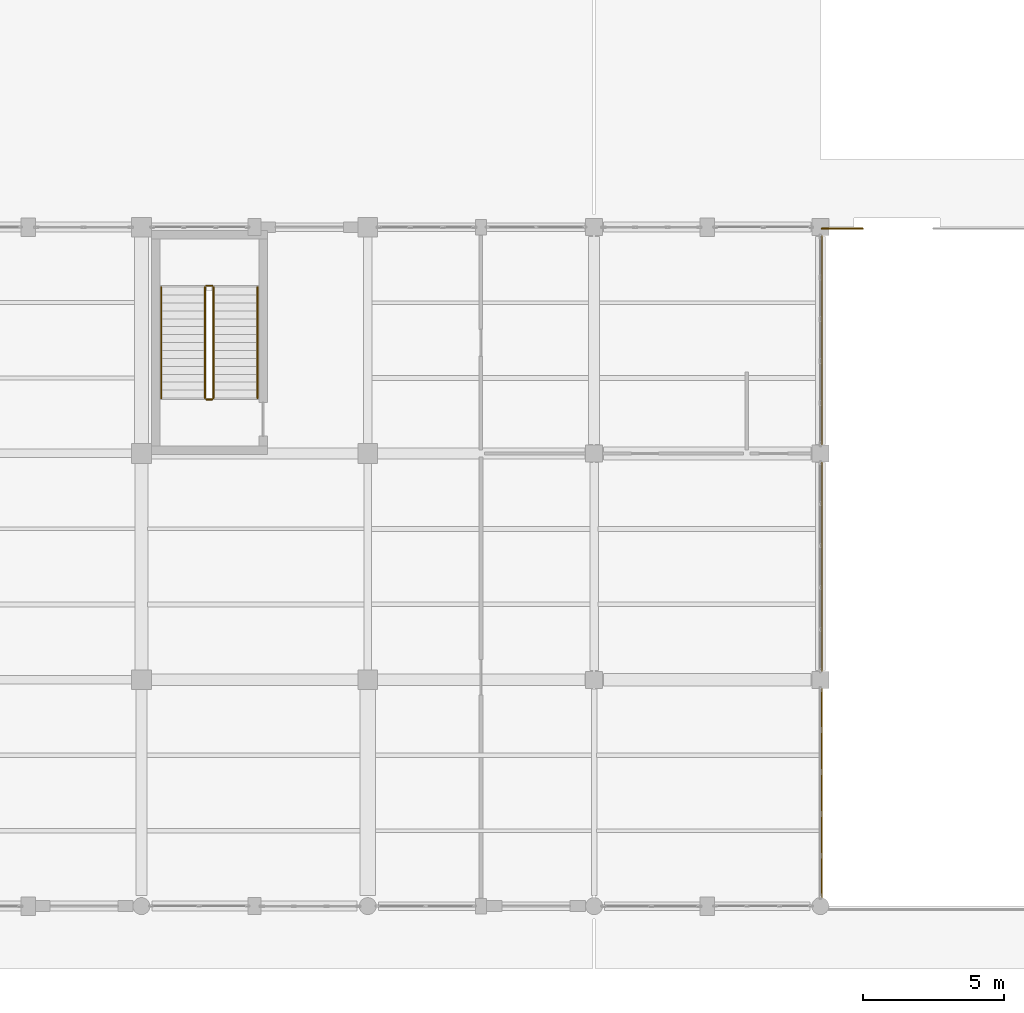
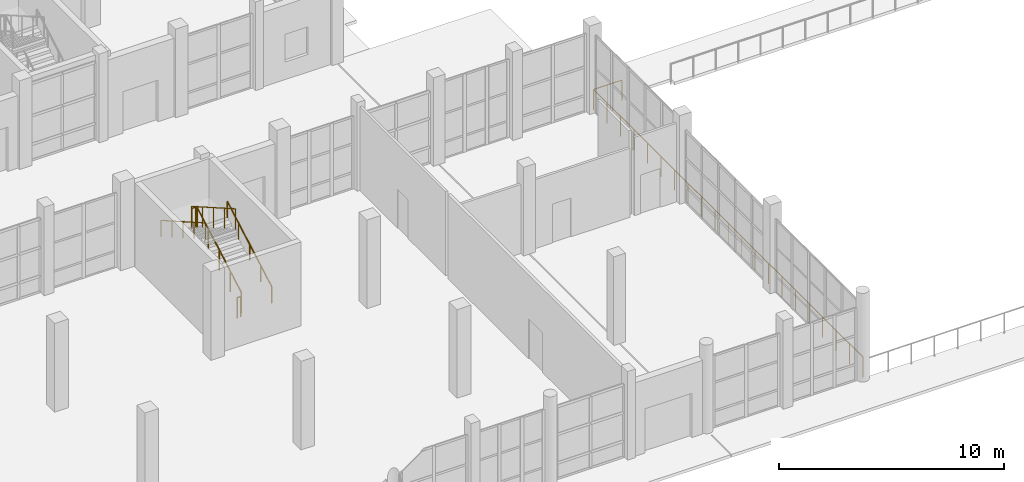
# One storey, part 137 of 156: 8 railings.
"""IFC4 building model written with IfcOpenShell, lengths in metres."""

from ifc_helpers import new_model, si_unit, direction, frame, origin, origin_2d, place, context, subcontext, project, spatial, circle, extrude, material, type_object, element, save


model = new_model("IFC4")

# Units and contexts
model_context = context("Model", 3, precision=1e-05, world=origin(), true_north=direction((0.0, 1.0)))
body_context = subcontext(model_context, "Body", "Model", "MODEL_VIEW")
ifc_project = project(units=[si_unit("LENGTHUNIT", "METRE"), si_unit("AREAUNIT", "SQUARE_METRE"), si_unit("VOLUMEUNIT", "CUBIC_METRE"), si_unit("PLANEANGLEUNIT", "RADIAN"), si_unit("MASSUNIT", "GRAM", prefix="KILO")], contexts=[model_context])

# Site, building, storey
site_placement = place(None, origin())
site = spatial("IfcSite", under=ifc_project, at=site_placement, CompositionType="ELEMENT")
building_placement = place(site_placement, origin())
building = spatial("IfcBuilding", under=site, at=building_placement, Name="Luwemba Playhouse", CompositionType="ELEMENT")
storey_placement = place(building_placement, origin())
storey = spatial("IfcBuildingStorey", under=building, at=storey_placement, Name="L00", CompositionType="ELEMENT", Elevation=0.0)

# Railings
ifc_material_1 = material(Name="Painted wrought-iron balustrade", Category="steel")
railing_type_1 = type_object("IfcRailingType", Name="RLG-BAL-EXT", PredefinedType="BALUSTRADE", material=ifc_material_1)
railing_1_placement = place(storey_placement, frame((60.050048828125, 3.050048828125, 0.0)))
element("IfcRailing", 1, at=railing_1_placement, inside=storey, type_object=railing_type_1, Name="Sunken Metro Forecourt L00 rim balustrade 013", PredefinedType="BALUSTRADE", context=body_context, shape_type="SweptSolid", body=[
    extrude(circle(Radius=0.02392578125, at=origin_2d()), frame((0.0, 0.0, 1.09619140625), z_axis=(0.0, 1.0, 0.0), x_axis=(-1.0, 0.0, 0.0)), (0.0, 0.0, 1.0), 23.89990234375),
    extrude(circle(Radius=0.02099609375, at=origin_2d()), origin(), (0.0, 0.0, 1.0), 1.072021484375),
    extrude(circle(Radius=0.02099609375, at=origin_2d()), frame((0.0, 1.195068359375, 0.0)), (0.0, 0.0, 1.0), 1.072021484375),
    extrude(circle(Radius=0.02099609375, at=origin_2d()), frame((0.0, 2.389892578125, 0.0)), (0.0, 0.0, 1.0), 1.072021484375),
    extrude(circle(Radius=0.02099609375, at=origin_2d()), frame((0.0, 3.5849609375, 0.0)), (0.0, 0.0, 1.0), 1.072021484375),
    extrude(circle(Radius=0.02099609375, at=origin_2d()), frame((0.0, 4.780029296875, 0.0)), (0.0, 0.0, 1.0), 1.072021484375),
    extrude(circle(Radius=0.02099609375, at=origin_2d()), frame((0.0, 5.97509765625, 0.0)), (0.0, 0.0, 1.0), 1.072021484375),
    extrude(circle(Radius=0.02099609375, at=origin_2d()), frame((0.0, 7.169921875, 0.0)), (0.0, 0.0, 1.0), 1.072021484375),
    extrude(circle(Radius=0.02099609375, at=origin_2d()), frame((0.0, 8.364990234375, 0.0)), (0.0, 0.0, 1.0), 1.072021484375),
    extrude(circle(Radius=0.02099609375, at=origin_2d()), frame((0.0, 9.56005859375, 0.0)), (0.0, 0.0, 1.0), 1.072021484375),
    extrude(circle(Radius=0.02099609375, at=origin_2d()), frame((0.0, 10.7548828125, 0.0)), (0.0, 0.0, 1.0), 1.072021484375),
    extrude(circle(Radius=0.02099609375, at=origin_2d()), frame((0.0, 11.949951171875, 0.0)), (0.0, 0.0, 1.0), 1.072021484375),
    extrude(circle(Radius=0.02099609375, at=origin_2d()), frame((0.0, 13.14501953125, 0.0)), (0.0, 0.0, 1.0), 1.072021484375),
    extrude(circle(Radius=0.02099609375, at=origin_2d()), frame((0.0, 14.33984375, 0.0)), (0.0, 0.0, 1.0), 1.072021484375),
    extrude(circle(Radius=0.02099609375, at=origin_2d()), frame((0.0, 15.534912109375, 0.0)), (0.0, 0.0, 1.0), 1.072021484375),
    extrude(circle(Radius=0.02099609375, at=origin_2d()), frame((0.0, 16.72998046875, 0.0)), (0.0, 0.0, 1.0), 1.072021484375),
    extrude(circle(Radius=0.02099609375, at=origin_2d()), frame((0.0, 17.9248046875, 0.0)), (0.0, 0.0, 1.0), 1.072021484375),
    extrude(circle(Radius=0.02099609375, at=origin_2d()), frame((0.0, 19.119873046875, 0.0)), (0.0, 0.0, 1.0), 1.072021484375),
    extrude(circle(Radius=0.02099609375, at=origin_2d()), frame((0.0, 20.31494140625, 0.0)), (0.0, 0.0, 1.0), 1.072021484375),
    extrude(circle(Radius=0.02099609375, at=origin_2d()), frame((0.0, 21.510009765625, 0.0)), (0.0, 0.0, 1.0), 1.072021484375),
    extrude(circle(Radius=0.02099609375, at=origin_2d()), frame((0.0, 22.704833984375, 0.0)), (0.0, 0.0, 1.0), 1.072021484375),
    extrude(circle(Radius=0.02099609375, at=origin_2d()), frame((0.0, 23.89990234375, 0.0)), (0.0, 0.0, 1.0), 1.072021484375),
])
railing_2_placement = place(storey_placement, frame((60.050048828125, 26.949951171875, 0.0)))
element("IfcRailing", 2, at=railing_2_placement, inside=storey, type_object=railing_type_1, Name="Sunken Metro Forecourt L00 rim balustrade 015", PredefinedType="BALUSTRADE", context=body_context, shape_type="SweptSolid", body=[
    extrude(circle(Radius=0.02392578125, at=origin_2d()), frame((0.0, 0.0, 1.09619140625), z_axis=(1.0, 0.0, 0.0), x_axis=(0.0, 1.0, 0.0)), (0.0, 0.0, 1.0), 1.449951171875),
    extrude(circle(Radius=0.02099609375, at=origin_2d()), origin(), (0.0, 0.0, 1.0), 1.072021484375),
    extrude(circle(Radius=0.02099609375, at=origin_2d()), frame((0.72509765625, 0.0, 0.0)), (0.0, 0.0, 1.0), 1.072021484375),
    extrude(circle(Radius=0.02099609375, at=origin_2d()), frame((1.449951171875, 0.0, 0.0)), (0.0, 0.0, 1.0), 1.072021484375),
])
ifc_material_2 = material(Name="Painted wrought-iron gallery balustrade", Category="steel")
railing_type_2 = type_object("IfcRailingType", Name="RLG-BAL-INT", PredefinedType="BALUSTRADE", material=ifc_material_2)
railing_3_placement = place(storey_placement, frame((38.550048828125, 20.9599609375, 0.159912109375)))
element("IfcRailing", 3, at=railing_3_placement, inside=storey, type_object=railing_type_2, Name="L00 ST-13 stair guard 1", PredefinedType="BALUSTRADE", context=body_context, shape_type="SweptSolid", body=[
    extrude(circle(Radius=0.02392578125, at=origin_2d()), frame((0.0, 0.0, 1.09619140625), z_axis=(0.0, 0.868239814368, 0.496144761885), x_axis=(-1.0, 0.0, 0.0)), (0.0, 0.0, 1.0), 4.514892578125),
    extrude(circle(Radius=0.02099609375, at=origin_2d()), origin(), (0.0, 0.0, 1.0), 1.072021484375),
    extrude(circle(Radius=0.02099609375, at=origin_2d()), frame((0.0, 0.97998046875, 0.56005859375)), (0.0, 0.0, 1.0), 1.072021484375),
    extrude(circle(Radius=0.02099609375, at=origin_2d()), frame((0.0, 1.9599609375, 1.1201171875)), (0.0, 0.0, 1.0), 1.072021484375),
    extrude(circle(Radius=0.02099609375, at=origin_2d()), frame((0.0, 2.93994140625, 1.679931640625)), (0.0, 0.0, 1.0), 1.072021484375),
    extrude(circle(Radius=0.02099609375, at=origin_2d()), frame((0.0, 3.919921875, 2.239990234375)), (0.0, 0.0, 1.0), 1.072021484375),
])
railing_4_placement = place(storey_placement, frame((38.5, 24.929931640625, 2.39990234375)))
element("IfcRailing", 4, at=railing_4_placement, inside=storey, type_object=railing_type_2, Name="L00 ST-13 stair guard 2", PredefinedType="BALUSTRADE", context=body_context, shape_type="SweptSolid", body=[
    extrude(circle(Radius=0.02392578125, at=origin_2d()), frame((0.0, 0.0, 1.09619140625), z_axis=(-1.0, 0.0, 0.0), x_axis=(0.0, -1.0, 0.0)), (0.0, 0.0, 1.0), 0.199951171875),
    extrude(circle(Radius=0.02099609375, at=origin_2d()), origin(), (0.0, 0.0, 1.0), 1.072021484375),
    extrude(circle(Radius=0.02099609375, at=origin_2d()), frame((-0.199951171875, 0.0, 0.0)), (0.0, 0.0, 1.0), 1.072021484375),
])
railing_5_placement = place(storey_placement, frame((38.25, 24.8798828125, 2.56005859375)))
element("IfcRailing", 5, at=railing_5_placement, inside=storey, type_object=railing_type_2, Name="L00 ST-13 stair guard 3", PredefinedType="BALUSTRADE", context=body_context, shape_type="SweptSolid", body=[
    extrude(circle(Radius=0.02392578125, at=origin_2d()), frame((0.0, 0.0, 1.09619140625), z_axis=(0.0, -0.868239814368, 0.496144761885), x_axis=(1.0, 0.0, 0.0)), (0.0, 0.0, 1.0), 4.514892578125),
    extrude(circle(Radius=0.02099609375, at=origin_2d()), origin(), (0.0, 0.0, 1.0), 1.072021484375),
    extrude(circle(Radius=0.02099609375, at=origin_2d()), frame((0.0, -0.97998046875, 0.56005859375)), (0.0, 0.0, 1.0), 1.072021484375),
    extrude(circle(Radius=0.02099609375, at=origin_2d()), frame((0.0, -1.9599609375, 1.1201171875)), (0.0, 0.0, 1.0), 1.072021484375),
    extrude(circle(Radius=0.02099609375, at=origin_2d()), frame((0.0, -2.93994140625, 1.679931640625)), (0.0, 0.0, 1.0), 1.072021484375),
    extrude(circle(Radius=0.02099609375, at=origin_2d()), frame((0.0, -3.919921875, 2.239990234375)), (0.0, 0.0, 1.0), 1.072021484375),
])
railing_6_placement = place(storey_placement, frame((38.5, 20.909912109375, 0.0)))
element("IfcRailing", 6, at=railing_6_placement, inside=storey, type_object=railing_type_2, Name="L00 ST-13 stair guard 4", PredefinedType="BALUSTRADE", context=body_context, shape_type="SweptSolid", body=[
    extrude(circle(Radius=0.02392578125, at=origin_2d()), frame((0.0, 0.0, 1.09619140625), z_axis=(-1.0, 0.0, 0.0), x_axis=(0.0, -1.0, 0.0)), (0.0, 0.0, 1.0), 0.199951171875),
    extrude(circle(Radius=0.02099609375, at=origin_2d()), origin(), (0.0, 0.0, 1.0), 1.072021484375),
    extrude(circle(Radius=0.02099609375, at=origin_2d()), frame((-0.199951171875, 0.0, 0.0)), (0.0, 0.0, 1.0), 1.072021484375),
])
ifc_material_3 = material(Name="Hardwood and bronze handrail", Category="wood")
railing_type_3 = type_object("IfcRailingType", Name="RLG-HR-INT", PredefinedType="HANDRAIL", material=ifc_material_3)
railing_7_placement = place(storey_placement, frame((40.10009765625, 20.9599609375, 0.159912109375)))
element("IfcRailing", 7, at=railing_7_placement, inside=storey, type_object=railing_type_3, Name="L00 ST-13 stair handrail 1", PredefinedType="HANDRAIL", context=body_context, shape_type="SweptSolid", body=[
    extrude(circle(Radius=0.02392578125, at=origin_2d()), frame((0.0, 0.0, 0.8759765625), z_axis=(0.0, 0.868239814368, 0.496144761885), x_axis=(-1.0, 0.0, 0.0)), (0.0, 0.0, 1.0), 4.514892578125),
    extrude(circle(Radius=0.02099609375, at=origin_2d()), origin(), (0.0, 0.0, 1.0), 0.851806640625),
    extrude(circle(Radius=0.02099609375, at=origin_2d()), frame((0.0, 0.97998046875, 0.56005859375)), (0.0, 0.0, 1.0), 0.851806640625),
    extrude(circle(Radius=0.02099609375, at=origin_2d()), frame((0.0, 1.9599609375, 1.1201171875)), (0.0, 0.0, 1.0), 0.851806640625),
    extrude(circle(Radius=0.02099609375, at=origin_2d()), frame((0.0, 2.93994140625, 1.679931640625)), (0.0, 0.0, 1.0), 0.851806640625),
    extrude(circle(Radius=0.02099609375, at=origin_2d()), frame((0.0, 3.919921875, 2.239990234375)), (0.0, 0.0, 1.0), 0.851806640625),
])
railing_8_placement = place(storey_placement, frame((36.699951171875, 24.8798828125, 2.56005859375)))
element("IfcRailing", 8, at=railing_8_placement, inside=storey, type_object=railing_type_3, Name="L00 ST-13 stair handrail 2", PredefinedType="HANDRAIL", context=body_context, shape_type="SweptSolid", body=[
    extrude(circle(Radius=0.02392578125, at=origin_2d()), frame((0.0, 0.0, 0.8759765625), z_axis=(0.0, -0.868239814368, 0.496144761885), x_axis=(1.0, 0.0, 0.0)), (0.0, 0.0, 1.0), 4.514892578125),
    extrude(circle(Radius=0.02099609375, at=origin_2d()), origin(), (0.0, 0.0, 1.0), 0.851806640625),
    extrude(circle(Radius=0.02099609375, at=origin_2d()), frame((0.0, -0.97998046875, 0.56005859375)), (0.0, 0.0, 1.0), 0.851806640625),
    extrude(circle(Radius=0.02099609375, at=origin_2d()), frame((0.0, -1.9599609375, 1.1201171875)), (0.0, 0.0, 1.0), 0.851806640625),
    extrude(circle(Radius=0.02099609375, at=origin_2d()), frame((0.0, -2.93994140625, 1.679931640625)), (0.0, 0.0, 1.0), 0.851806640625),
    extrude(circle(Radius=0.02099609375, at=origin_2d()), frame((0.0, -3.919921875, 2.239990234375)), (0.0, 0.0, 1.0), 0.851806640625),
])

save(model, "model.ifc")
